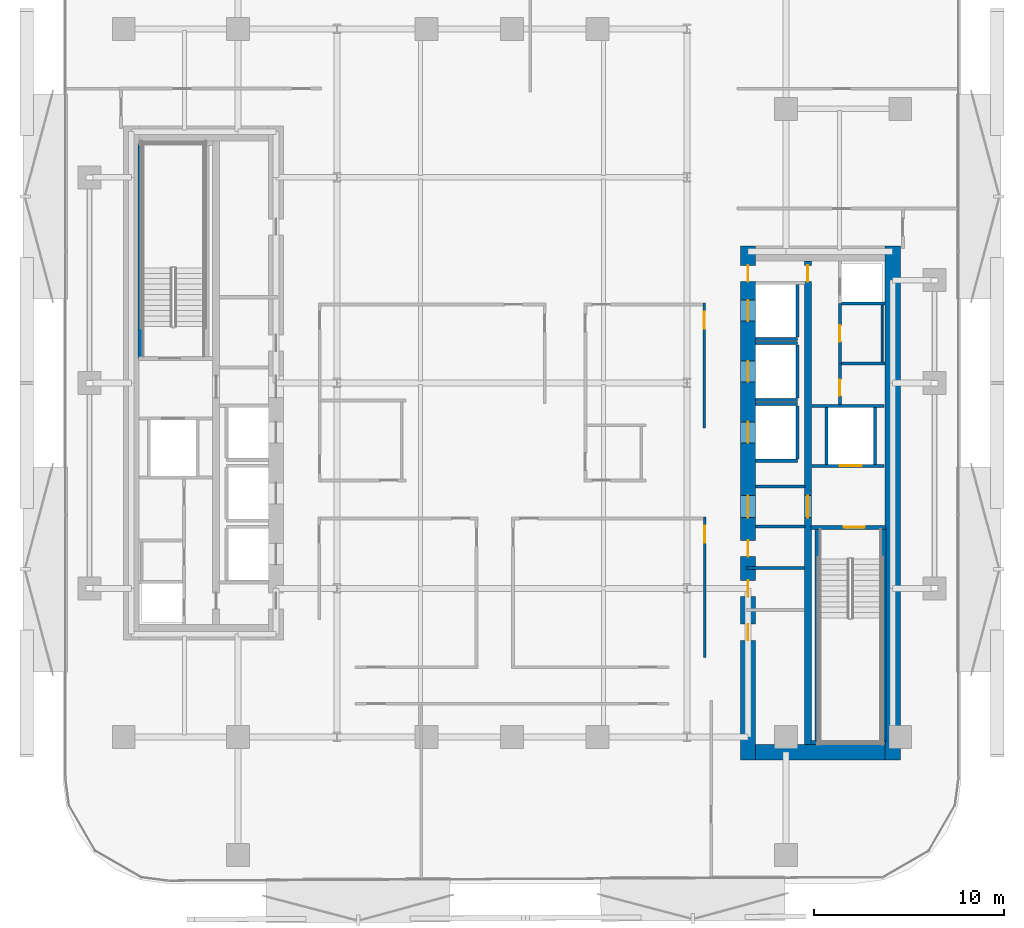
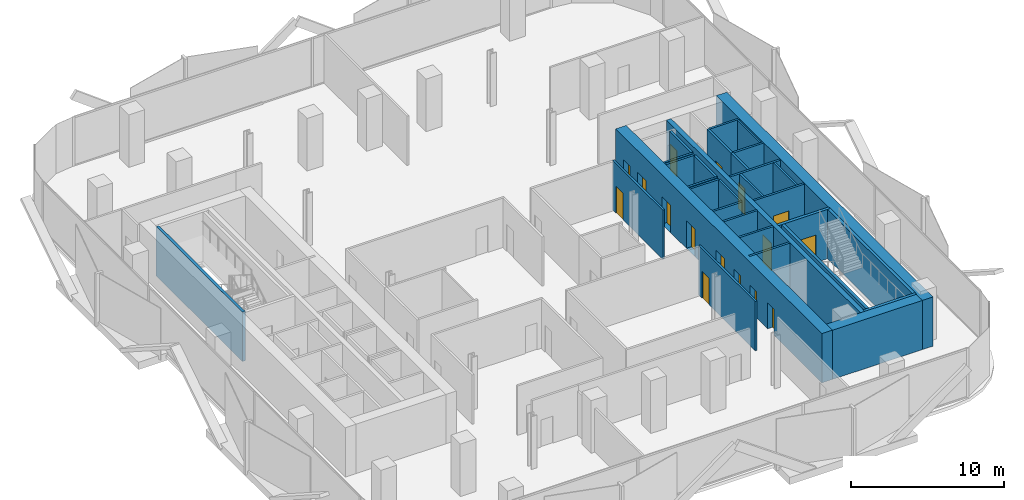
# One storey, part 5 of 15: 31 walls, 16 doors, 16 openings.
"""IFC4 building model written with IfcOpenShell, lengths in metres."""

from ifc_helpers import new_model, si_unit, direction, frame, frame_2d, origin, place, context, subcontext, project, spatial, rectangle, extrude, material, layer, layer_set, type_object, element, fill, save


model = new_model("IFC4")

# Units and contexts
model_context = context("Model", 3, precision=1e-05, world=origin(), true_north=direction((0.0, 1.0)))
body_context = subcontext(model_context, "Body", "Model", "MODEL_VIEW")
ifc_project = project(units=[si_unit("LENGTHUNIT", "METRE"), si_unit("AREAUNIT", "SQUARE_METRE"), si_unit("VOLUMEUNIT", "CUBIC_METRE"), si_unit("PLANEANGLEUNIT", "RADIAN"), si_unit("MASSUNIT", "GRAM", prefix="KILO")], contexts=[model_context])

# Site, building, storey
site_placement = place(None, origin())
site = spatial("IfcSite", under=ifc_project, at=site_placement, CompositionType="ELEMENT")
building_placement = place(site_placement, origin())
building = spatial("IfcBuilding", under=site, at=building_placement, Name="Khairoan Windgate Tower", CompositionType="ELEMENT")
storey_placement = place(building_placement, frame((0.0, 0.0, 114.199951171875)))
storey = spatial("IfcBuildingStorey", under=building, at=storey_placement, Name="L26", CompositionType="ELEMENT", Elevation=114.199951171875)

# Walls
ifc_material_1 = material(Name="Moisture-Resistant Gypsum Partition", Category="gypsum")
ifc_layer_1 = layer(ifc_material_1, 0.10009765625, Name="Moisture-Resistant Gypsum Partition")
ifc_layer_set_1 = layer_set([ifc_layer_1], Name="Moisture-Resistant Gypsum Partition")
wall_type_1 = type_object("IfcWallType", Name="Bathroom Wet-Area Partition Wall", PredefinedType="PARTITIONING", material=ifc_layer_set_1)
wall_1_placement = place(storey_placement, frame((19.449951171875, 4.090087890625, 0.0), z_axis=(0.0, 0.0, 1.0), x_axis=(0.0, -1.0, 0.0)))
element("IfcWall", 1, at=wall_1_placement, inside=storey, type_object=wall_type_1, Name="L26 Wet Room Side Wall 048", PredefinedType="PARTITIONING", context=body_context, shape_type="SweptSolid", body=[
    extrude(rectangle(XDim=2.97998046875, YDim=0.10009765625, at=frame_2d((1.489990234375, 0.0))), origin(), (0.0, 0.0, 1.0), 3.93994140625),
])
ifc_material_2 = material(Name="Concrete C40/50", Category="concrete")
ifc_layer_2 = layer(ifc_material_2, 0.159912109375, Name="Concrete C40/50")
ifc_layer_set_2 = layer_set([ifc_layer_2], Name="Concrete C40/50")
wall_type_2 = type_object("IfcWallType", Name="Core and Hoistway Enclosure Wall", PredefinedType="STANDARD", material=ifc_layer_set_2)
wall_2_placement = place(storey_placement, frame((12.800048828125, 2.31005859375, 0.0), z_axis=(0.0, 0.0, 1.0), x_axis=(1.0, 0.0, 0.0)))
element("IfcWall", 2, at=wall_2_placement, inside=storey, type_object=wall_type_2, Name="L26 Lift PL7 Hoistway Divider S", PredefinedType="STANDARD", context=body_context, shape_type="SweptSolid", body=[
    extrude(rectangle(XDim=2.18994140625, YDim=0.159912109375, at=frame_2d((1.094970703125, 0.0))), origin(), (0.0, 0.0, 1.0), 3.93994140625),
])
wall_3_placement = place(storey_placement, frame((14.989990234375, 2.39990234375, 0.0), z_axis=(0.0, 0.0, 1.0), x_axis=(0.0, 1.0, 0.0)))
element("IfcWall", 3, at=wall_3_placement, inside=storey, type_object=wall_type_2, Name="L26 Lift PL7 Hoistway Back Wall", PredefinedType="STANDARD", context=body_context, shape_type="SweptSolid", body=[
    extrude(rectangle(XDim=2.800048828125, YDim=0.159912109375, at=frame_2d((1.39990234375, 0.0))), origin(), (0.0, 0.0, 1.0), 3.93994140625),
])
for number, where, z_axis, x_axis, name in (
    (4, (12.800048828125, -0.889892578125, 0.0), (0.0, 0.0, 1.0), (1.0, 0.0, 0.0), "L26 Lift PL8 Hoistway Divider S"),
    (5, (12.800048828125, 2.090087890625, 0.0), (0.0, 0.0, 1.0), (1.0, 0.0, 0.0), "L26 Lift PL8 Hoistway Divider N"),
):
    element("IfcWall", number, at=place(storey_placement, frame(where, z_axis=z_axis, x_axis=x_axis)), inside=storey, type_object=wall_type_2, Name=name, PredefinedType="STANDARD", context=body_context, shape_type="SweptSolid", body=[
        extrude(rectangle(XDim=2.18994140625, YDim=0.159912109375, at=frame_2d((1.094970703125, 0.0))), origin(), (0.0, 0.0, 1.0), 3.93994140625),
    ])
wall_4_placement = place(storey_placement, frame((14.989990234375, -0.800048828125, 0.0), z_axis=(0.0, 0.0, 1.0), x_axis=(0.0, 1.0, 0.0)))
element("IfcWall", 6, at=wall_4_placement, inside=storey, type_object=wall_type_2, Name="L26 Lift PL8 Hoistway Back Wall", PredefinedType="STANDARD", context=body_context, shape_type="SweptSolid", body=[
    extrude(rectangle(XDim=2.800048828125, YDim=0.159912109375, at=frame_2d((1.39990234375, 0.0))), origin(), (0.0, 0.0, 1.0), 3.93994140625),
])
for number, where, z_axis, x_axis, name in (
    (7, (12.800048828125, -4.090087890625, 0.0), (0.0, 0.0, 1.0), (1.0, 0.0, 0.0), "L26 Lift PL9 Hoistway Divider S"),
    (8, (12.800048828125, -1.110107421875, 0.0), (0.0, 0.0, 1.0), (1.0, 0.0, 0.0), "L26 Lift PL9 Hoistway Divider N"),
):
    element("IfcWall", number, at=place(storey_placement, frame(where, z_axis=z_axis, x_axis=x_axis)), inside=storey, type_object=wall_type_2, Name=name, PredefinedType="STANDARD", context=body_context, shape_type="SweptSolid", body=[
        extrude(rectangle(XDim=2.18994140625, YDim=0.159912109375, at=frame_2d((1.094970703125, 0.0))), origin(), (0.0, 0.0, 1.0), 3.93994140625),
    ])
wall_5_placement = place(storey_placement, frame((14.989990234375, -4.0, 0.0), z_axis=(0.0, 0.0, 1.0), x_axis=(0.0, 1.0, 0.0)))
element("IfcWall", 9, at=wall_5_placement, inside=storey, type_object=wall_type_2, Name="L26 Lift PL9 Hoistway Back Wall", PredefinedType="STANDARD", context=body_context, shape_type="SweptSolid", body=[
    extrude(rectangle(XDim=2.800048828125, YDim=0.159912109375, at=frame_2d((1.39990234375, 0.0))), origin(), (0.0, 0.0, 1.0), 3.93994140625),
])

# Wall, opening, door
wall_6_placement = place(storey_placement, frame((15.75, -4.360107421875, 0.0), z_axis=(0.0, 0.0, 1.0), x_axis=(1.0, 0.0, 0.0)))
wall_6 = element("IfcWall", 10, at=wall_6_placement, inside=storey, type_object=wall_type_2, Name="L26 Core Shaft Wall SW-FL1-L26", PredefinedType="STANDARD", context=body_context, shape_type="SweptSolid", body=[
    extrude(rectangle(XDim=3.800048828125, YDim=0.159912109375, at=frame_2d((1.89990234375, 0.0))), origin(), (0.0, 0.0, 1.0), 3.93994140625),
])
opening_1_placement = place(wall_6_placement, frame((1.469970703125, 0.0, 0.0)))
opening_1 = element("IfcOpeningElement", 11, at=opening_1_placement, cuts=wall_6, Name="Opening LD-FL", PredefinedType="OPENING", context=body_context, shape_type="SweptSolid", body=[
    extrude(rectangle(XDim=1.14990234375, YDim=2.199951171875, at=frame_2d((0.574951171875, 1.10009765625))), frame((0.0, 0.08984375, 0.0), z_axis=(0.0, -1.0, 0.0), x_axis=(1.0, 0.0, 0.0)), (0.0, 0.0, 1.0), 0.179931640625),
])
ifc_material_3 = material(Name="Steel S355", Category="steel")
door_type_1 = type_object("IfcDoorType", Name="Firefighting Lift Sliding Landing Door LD-FL 1150x2200", OperationType="DOUBLE_DOOR_SLIDING", PredefinedType="DOOR", material=ifc_material_3)
door_1_placement = place(opening_1_placement, origin())
door_1 = element("IfcDoor", 12, at=door_1_placement, inside=storey, type_object=door_type_1, Name="L26 Firefighting Lift FL1 Landing Door", OperationType="DOUBLE_DOOR_SLIDING", OverallHeight=2.199951171875, OverallWidth=1.14990234375, PredefinedType="DOOR", context=body_context, shape_type="SweptSolid", body=[
    extrude(rectangle(XDim=1.14990234375, YDim=2.199951171875, at=frame_2d((0.574951171875, 1.10009765625))), frame((0.0, 0.02490234375, 0.0), z_axis=(0.0, -1.0, 0.0), x_axis=(1.0, 0.0, 0.0)), (0.0, 0.0, 1.0), 0.050048828125),
])
fill(opening_1, door_1)

# Walls
wall_7_placement = place(storey_placement, frame((15.75, -1.219970703125, 0.0), z_axis=(0.0, 0.0, 1.0), x_axis=(1.0, 0.0, 0.0)))
element("IfcWall", 13, at=wall_7_placement, inside=storey, type_object=wall_type_2, Name="L26 Core Shaft Wall SW-FL1T-L26", PredefinedType="STANDARD", context=body_context, shape_type="SweptSolid", body=[
    extrude(rectangle(XDim=3.800048828125, YDim=0.159912109375, at=frame_2d((1.89990234375, 0.0))), origin(), (0.0, 0.0, 1.0), 3.93994140625),
])
for number, where, z_axis, x_axis, name in (
    (14, (16.52001953125, -4.280029296875, 0.0), (0.0, 0.0, 1.0), (0.0, 1.0, 0.0), "L26 Core Shaft Wall SW-FL1W-L26"),
    (15, (19.080078125, -4.280029296875, 0.0), (0.0, 0.0, 1.0), (0.0, 1.0, 0.0), "L26 Core Shaft Wall SW-FL1E-L26"),
):
    element("IfcWall", number, at=place(storey_placement, frame(where, z_axis=z_axis, x_axis=x_axis)), inside=storey, type_object=wall_type_2, Name=name, PredefinedType="STANDARD", context=body_context, shape_type="SweptSolid", body=[
        extrude(rectangle(XDim=2.97998046875, YDim=0.159912109375, at=frame_2d((1.489990234375, 0.0))), origin(), (0.0, 0.0, 1.0), 3.93994140625),
    ])
for number, where, z_axis, x_axis, name in (
    (16, (12.800048828125, -5.449951171875, 0.0), (0.0, 0.0, 1.0), (1.0, 0.0, 0.0), "L26 Core Shaft Wall SW-EV1-L26"),
    (17, (12.800048828125, -7.5400390625, 0.0), (0.0, 0.0, 1.0), (1.0, 0.0, 0.0), "L26 Core Shaft Wall SW-EV2-L26"),
):
    element("IfcWall", number, at=place(storey_placement, frame(where, z_axis=z_axis, x_axis=x_axis)), inside=storey, type_object=wall_type_2, Name=name, PredefinedType="STANDARD", context=body_context, shape_type="SweptSolid", body=[
        extrude(rectangle(XDim=2.599853515625, YDim=0.159912109375, at=frame_2d((1.2998046875, 0.0))), origin(), (0.0, 0.0, 1.0), 3.93994140625),
    ])

# Wall, opening, door
ifc_material_4 = material(Name="Concrete C40/50", Category="concrete")
ifc_layer_3 = layer(ifc_material_4, 0.159912109375, Name="Concrete C40/50")
ifc_layer_set_3 = layer_set([ifc_layer_3], Name="Concrete C40/50")
wall_type_3 = type_object("IfcWallType", Name="Plant and Refuge Compartment Wall", PredefinedType="PARTITIONING", material=ifc_layer_set_3)
wall_8_placement = place(storey_placement, frame((17.22998046875, -1.139892578125, 0.0), z_axis=(0.0, 0.0, 1.0), x_axis=(0.0, 1.0, 0.0)))
wall_8 = element("IfcWall", 18, at=wall_8_placement, inside=storey, type_object=wall_type_3, Name="L26 Interior Partition 008", PredefinedType="PARTITIONING", context=body_context, shape_type="SweptSolid", body=[
    extrude(rectangle(XDim=2.169921875, YDim=0.159912109375, at=frame_2d((1.0849609375, 0.0))), origin(), (0.0, 0.0, 1.0), 3.93994140625),
])
opening_2_placement = place(wall_8_placement, frame((0.4599609375, 0.0, 0.0)))
opening_2 = element("IfcOpeningElement", 19, at=opening_2_placement, cuts=wall_8, Name="Opening FD-SRV", PredefinedType="OPENING", context=body_context, shape_type="SweptSolid", body=[
    extrude(rectangle(XDim=0.85009765625, YDim=2.10009765625, at=frame_2d((0.425048828125, 1.050048828125))), frame((0.0, 0.08984375, 0.0), z_axis=(0.0, -1.0, 0.0), x_axis=(1.0, 0.0, 0.0)), (0.0, 0.0, 1.0), 0.179931640625),
])
ifc_material_5 = material(Name="Steel S355", Category="steel")
door_type_2 = type_object("IfcDoorType", Name="Core Service and Riser Fire Door FD-SRV 850x2100", OperationType="NOTDEFINED", PredefinedType="DOOR", material=ifc_material_5)
door_2_placement = place(opening_2_placement, origin())
door_2 = element("IfcDoor", 20, at=door_2_placement, inside=storey, type_object=door_type_2, Name="L26 L26-18-L26-20 Door", OperationType="SINGLE_SWING_RIGHT", OverallHeight=2.10009765625, OverallWidth=0.85009765625, PredefinedType="DOOR", context=body_context, shape_type="SweptSolid", body=[
    extrude(rectangle(XDim=0.85009765625, YDim=2.10009765625, at=frame_2d((0.425048828125, 1.050048828125))), frame((0.0, 0.02490234375, 0.0), z_axis=(0.0, -1.0, 0.0), x_axis=(1.0, 0.0, 0.0)), (0.0, 0.0, 1.0), 0.050048828125),
])
fill(opening_2, door_2)

wall_9_placement = place(storey_placement, frame((17.22998046875, 1.030029296875, 0.0), z_axis=(0.0, 0.0, 1.0), x_axis=(0.0, 1.0, 0.0)))
wall_9 = element("IfcWall", 21, at=wall_9_placement, inside=storey, type_object=wall_type_3, Name="L26 Interior Partition 009", PredefinedType="PARTITIONING", context=body_context, shape_type="SweptSolid", body=[
    extrude(rectangle(XDim=3.139892578125, YDim=0.159912109375, at=frame_2d((1.56982421875, 0.0))), origin(), (0.0, 0.0, 1.0), 3.93994140625),
])
opening_3_placement = place(wall_9_placement, frame((1.14501953125, 0.0, 0.0)))
opening_3 = element("IfcOpeningElement", 22, at=opening_3_placement, cuts=wall_9, Name="Opening FD-SRV", PredefinedType="OPENING", context=body_context, shape_type="SweptSolid", body=[
    extrude(rectangle(XDim=0.85009765625, YDim=2.10009765625, at=frame_2d((0.425048828125, 1.050048828125))), frame((0.0, 0.08984375, 0.0), z_axis=(0.0, -1.0, 0.0), x_axis=(1.0, 0.0, 0.0)), (0.0, 0.0, 1.0), 0.179931640625),
])
door_3_placement = place(opening_3_placement, origin())
door_3 = element("IfcDoor", 23, at=door_3_placement, inside=storey, type_object=door_type_2, Name="L26 L26-18-L26-21 Door", OperationType="SINGLE_SWING_LEFT", OverallHeight=2.10009765625, OverallWidth=0.85009765625, PredefinedType="DOOR", context=body_context, shape_type="SweptSolid", body=[
    extrude(rectangle(XDim=0.85009765625, YDim=2.10009765625, at=frame_2d((0.425048828125, 1.050048828125))), frame((0.0, 0.02490234375, 0.0), z_axis=(0.0, -1.0, 0.0), x_axis=(1.0, 0.0, 0.0)), (0.0, 0.0, 1.0), 0.050048828125),
])
fill(opening_3, door_3)

# Walls
for number, where, z_axis, x_axis, name in (
    (24, (17.31005859375, 4.169921875, 0.0), (0.0, 0.0, 1.0), (1.0, 0.0, 0.0), "L26 Interior Partition 010"),
    (25, (17.31005859375, 1.030029296875, 0.0), (0.0, 0.0, 1.0), (1.0, 0.0, 0.0), "L26 Interior Partition 011"),
):
    element("IfcWall", number, at=place(storey_placement, frame(where, z_axis=z_axis, x_axis=x_axis)), inside=storey, type_object=wall_type_3, Name=name, PredefinedType="PARTITIONING", context=body_context, shape_type="SweptSolid", body=[
        extrude(rectangle(XDim=2.2900390625, YDim=0.159912109375, at=frame_2d((1.14501953125, 0.0))), origin(), (0.0, 0.0, 1.0), 3.93994140625),
    ])
wall_10_placement = place(storey_placement, frame((12.31005859375, -9.719970703125, 0.0), z_axis=(0.0, 0.0, 1.0), x_axis=(1.0, 0.0, 0.0)))
element("IfcWall", 26, at=wall_10_placement, inside=storey, type_object=wall_type_3, Name="L26 Interior Partition 013", PredefinedType="PARTITIONING", context=body_context, shape_type="SweptSolid", body=[
    extrude(rectangle(XDim=3.06494140625, YDim=0.159912109375, at=frame_2d((1.532470703125, 0.0))), origin(), (0.0, 0.0, 1.0), 3.93994140625),
])

# Wall, opening, door
ifc_material_6 = material(Name="Acoustic Fire-Rated Gypsum Partition", Category="gypsum")
ifc_layer_4 = layer(ifc_material_6, 0.14990234375, Name="Acoustic Fire-Rated Gypsum Partition")
ifc_layer_set_4 = layer_set([ifc_layer_4], Name="Acoustic Fire-Rated Gypsum Partition")
wall_type_4 = type_object("IfcWallType", Name="Rated Corridor Partition Wall", PredefinedType="PARTITIONING", material=ifc_layer_set_4)
wall_11_placement = place(storey_placement, frame((10.10009765625, -2.3798828125, 0.0), z_axis=(0.0, 0.0, 1.0), x_axis=(0.0, 1.0, 0.0)))
wall_11 = element("IfcWall", 27, at=wall_11_placement, inside=storey, type_object=wall_type_4, Name="L26 Interior Partition 018", PredefinedType="PARTITIONING", context=body_context, shape_type="SweptSolid", body=[
    extrude(rectangle(XDim=6.574951171875, YDim=0.14990234375, at=frame_2d((3.28759765625, 0.0))), origin(), (0.0, 0.0, 1.0), 3.93994140625),
])
opening_4_placement = place(wall_11_placement, frame((5.215087890625, 0.0, 0.0)))
opening_4 = element("IfcOpeningElement", 28, at=opening_4_placement, cuts=wall_11, Name="Opening FD-ENT", PredefinedType="OPENING", context=body_context, shape_type="SweptSolid", body=[
    extrude(rectangle(XDim=0.89990234375, YDim=2.14990234375, at=frame_2d((0.449951171875, 1.074951171875))), frame((0.0, 0.0849609375, 0.0), z_axis=(0.0, -1.0, 0.0), x_axis=(1.0, 0.0, 0.0)), (0.0, 0.0, 1.0), 0.169921875),
])
ifc_material_7 = material(Name="Timber Fire-Rated Core", Category="wood")
door_type_3 = type_object("IfcDoorType", Name="Unit and Office Fire Entrance Door FD-ENT 900x2150", OperationType="NOTDEFINED", PredefinedType="DOOR", material=ifc_material_7)
door_4_placement = place(opening_4_placement, origin())
door_4 = element("IfcDoor", 29, at=door_4_placement, inside=storey, type_object=door_type_3, Name="L26 L26-31-L26-48 Door", OperationType="SINGLE_SWING_RIGHT", OverallHeight=2.14990234375, OverallWidth=0.89990234375, PredefinedType="DOOR", context=body_context, shape_type="SweptSolid", body=[
    extrude(rectangle(XDim=0.89990234375, YDim=2.14990234375, at=frame_2d((0.449951171875, 1.074951171875))), frame((0.0, 0.02490234375, 0.0), z_axis=(0.0, -1.0, 0.0), x_axis=(1.0, 0.0, 0.0)), (0.0, 0.0, 1.0), 0.050048828125),
])
fill(opening_4, door_4)

wall_12_placement = place(storey_placement, frame((10.125, -14.43994140625, 0.0), z_axis=(0.0, 0.0, 1.0), x_axis=(0.0, 1.0, 0.0)))
wall_12 = element("IfcWall", 30, at=wall_12_placement, inside=storey, type_object=wall_type_4, Name="L26 Interior Partition 019", PredefinedType="PARTITIONING", context=body_context, shape_type="SweptSolid", body=[
    extrude(rectangle(XDim=7.39990234375, YDim=0.14990234375, at=frame_2d((3.699951171875, 0.0))), origin(), (0.0, 0.0, 1.0), 3.93994140625),
])
opening_5_placement = place(wall_12_placement, frame((6.0400390625, 0.0, 0.0)))
opening_5 = element("IfcOpeningElement", 31, at=opening_5_placement, cuts=wall_12, Name="Opening FD-ENT", PredefinedType="OPENING", context=body_context, shape_type="SweptSolid", body=[
    extrude(rectangle(XDim=0.89990234375, YDim=2.14990234375, at=frame_2d((0.449951171875, 1.074951171875))), frame((0.0, 0.0849609375, 0.0), z_axis=(0.0, -1.0, 0.0), x_axis=(1.0, 0.0, 0.0)), (0.0, 0.0, 1.0), 0.169921875),
])
door_5_placement = place(opening_5_placement, origin())
door_5 = element("IfcDoor", 32, at=door_5_placement, inside=storey, type_object=door_type_3, Name="L26 L26-31-L26-52 Door", OperationType="SINGLE_SWING_LEFT", OverallHeight=2.14990234375, OverallWidth=0.89990234375, PredefinedType="DOOR", context=body_context, shape_type="SweptSolid", body=[
    extrude(rectangle(XDim=0.89990234375, YDim=2.14990234375, at=frame_2d((0.449951171875, 1.074951171875))), frame((0.0, 0.02490234375, 0.0), z_axis=(0.0, -1.0, 0.0), x_axis=(1.0, 0.0, 0.0)), (0.0, 0.0, 1.0), 0.050048828125),
])
fill(opening_5, door_5)

# Wall, openings, doors
ifc_material_8 = material(Name="Concrete C70/85", Category="concrete")
ifc_layer_5 = layer(ifc_material_8, 0.800048828125, Name="Concrete C70/85")
ifc_layer_set_5 = layer_set([ifc_layer_5], Name="Concrete C70/85")
wall_type_5 = type_object("IfcWallType", Name="Shear Wall CW-E1 800mm", PredefinedType="SHEAR", material=ifc_layer_set_5)
wall_13_placement = place(storey_placement, frame((12.39990234375, -19.800048828125, 0.0), z_axis=(0.0, 0.0, 1.0), x_axis=(0.0, 1.0, 0.0)))
wall_13 = element("IfcWall", 33, at=wall_13_placement, inside=storey, type_object=wall_type_5, Name="E Core West Shear Wall L26", PredefinedType="SHEAR", context=body_context, shape_type="SweptSolid", body=[
    extrude(rectangle(XDim=27.0, YDim=0.800048828125, at=frame_2d((13.5, 0.0))), origin(), (0.0, 0.0, 1.0), 3.93994140625),
])
opening_6_placement = place(wall_13_placement, frame((23.050048828125, 0.0, 0.0)))
opening_6 = element("IfcOpeningElement", 34, at=opening_6_placement, cuts=wall_13, Name="Opening LD-PL", PredefinedType="OPENING", context=body_context, shape_type="SweptSolid", body=[
    extrude(rectangle(XDim=1.10009765625, YDim=2.199951171875, at=frame_2d((0.550048828125, 1.10009765625))), frame((0.0, 0.409912109375, 0.0), z_axis=(0.0, -1.0, 0.0), x_axis=(1.0, 0.0, 0.0)), (0.0, 0.0, 1.0), 0.820068359375),
])
opening_7_placement = place(wall_13_placement, frame((19.85009765625, 0.0, 0.0)))
opening_7 = element("IfcOpeningElement", 35, at=opening_7_placement, cuts=wall_13, Name="Opening LD-PL", PredefinedType="OPENING", context=body_context, shape_type="SweptSolid", body=[
    extrude(rectangle(XDim=1.10009765625, YDim=2.199951171875, at=frame_2d((0.550048828125, 1.10009765625))), frame((0.0, 0.409912109375, 0.0), z_axis=(0.0, -1.0, 0.0), x_axis=(1.0, 0.0, 0.0)), (0.0, 0.0, 1.0), 0.820068359375),
])
opening_8_placement = place(wall_13_placement, frame((16.64990234375, 0.0, 0.0)))
opening_8 = element("IfcOpeningElement", 36, at=opening_8_placement, cuts=wall_13, Name="Opening LD-PL", PredefinedType="OPENING", context=body_context, shape_type="SweptSolid", body=[
    extrude(rectangle(XDim=1.10009765625, YDim=2.199951171875, at=frame_2d((0.550048828125, 1.10009765625))), frame((0.0, 0.409912109375, 0.0), z_axis=(0.0, -1.0, 0.0), x_axis=(1.0, 0.0, 0.0)), (0.0, 0.0, 1.0), 0.820068359375),
])
opening_9_placement = place(wall_13_placement, frame((6.27490234375, 0.0, 0.0)))
opening_9 = element("IfcOpeningElement", 37, at=opening_9_placement, cuts=wall_13, Name="Opening FD-SRV", PredefinedType="OPENING", context=body_context, shape_type="SweptSolid", body=[
    extrude(rectangle(XDim=0.85009765625, YDim=2.10009765625, at=frame_2d((0.425048828125, 1.050048828125))), frame((0.0, 0.409912109375, 0.0), z_axis=(0.0, -1.0, 0.0), x_axis=(1.0, 0.0, 0.0)), (0.0, 0.0, 1.0), 0.820068359375),
])
opening_10_placement = place(wall_13_placement, frame((8.574951171875, 0.0, 0.0)))
opening_10 = element("IfcOpeningElement", 38, at=opening_10_placement, cuts=wall_13, Name="Opening FD-SRV", PredefinedType="OPENING", context=body_context, shape_type="SweptSolid", body=[
    extrude(rectangle(XDim=0.85009765625, YDim=2.10009765625, at=frame_2d((0.425048828125, 1.050048828125))), frame((0.0, 0.409912109375, 0.0), z_axis=(0.0, -1.0, 0.0), x_axis=(1.0, 0.0, 0.0)), (0.0, 0.0, 1.0), 0.820068359375),
])
opening_11_placement = place(wall_13_placement, frame((10.675048828125, 0.0, 0.0)))
opening_11 = element("IfcOpeningElement", 39, at=opening_11_placement, cuts=wall_13, Name="Opening FD-SRV", PredefinedType="OPENING", context=body_context, shape_type="SweptSolid", body=[
    extrude(rectangle(XDim=0.85009765625, YDim=2.10009765625, at=frame_2d((0.425048828125, 1.050048828125))), frame((0.0, 0.409912109375, 0.0), z_axis=(0.0, -1.0, 0.0), x_axis=(1.0, 0.0, 0.0)), (0.0, 0.0, 1.0), 0.820068359375),
])
opening_12_placement = place(wall_13_placement, frame((12.72509765625, 0.0, 0.0)))
opening_12 = element("IfcOpeningElement", 40, at=opening_12_placement, cuts=wall_13, Name="Opening FD-FFL", PredefinedType="OPENING", context=body_context, shape_type="SweptSolid", body=[
    extrude(rectangle(XDim=1.14990234375, YDim=2.199951171875, at=frame_2d((0.574951171875, 1.10009765625))), frame((0.0, 0.409912109375, 0.0), z_axis=(0.0, -1.0, 0.0), x_axis=(1.0, 0.0, 0.0)), (0.0, 0.0, 1.0), 0.820068359375),
])
opening_13_placement = place(wall_13_placement, frame((25.125, 0.0, 0.0)))
opening_13 = element("IfcOpeningElement", 41, at=opening_13_placement, cuts=wall_13, Name="Opening FD-SRV", PredefinedType="OPENING", context=body_context, shape_type="SweptSolid", body=[
    extrude(rectangle(XDim=0.85009765625, YDim=2.10009765625, at=frame_2d((0.425048828125, 1.050048828125))), frame((0.0, 0.409912109375, 0.0), z_axis=(0.0, -1.0, 0.0), x_axis=(1.0, 0.0, 0.0)), (0.0, 0.0, 1.0), 0.820068359375),
])
door_6_placement = place(opening_9_placement, origin())
door_6 = element("IfcDoor", 42, at=door_6_placement, inside=storey, type_object=door_type_2, Name="L26 East Core Service Room Door 1", OperationType="SINGLE_SWING_LEFT", OverallHeight=2.10009765625, OverallWidth=0.85009765625, PredefinedType="DOOR", context=body_context, shape_type="SweptSolid", body=[
    extrude(rectangle(XDim=0.85009765625, YDim=2.10009765625, at=frame_2d((0.425048828125, 1.050048828125))), frame((0.0, 0.02490234375, 0.0), z_axis=(0.0, -1.0, 0.0), x_axis=(1.0, 0.0, 0.0)), (0.0, 0.0, 1.0), 0.050048828125),
])
fill(opening_9, door_6)
door_7_placement = place(opening_10_placement, origin())
door_7 = element("IfcDoor", 43, at=door_7_placement, inside=storey, type_object=door_type_2, Name="L26 East Core Service Room Door 2", OperationType="SINGLE_SWING_RIGHT", OverallHeight=2.10009765625, OverallWidth=0.85009765625, PredefinedType="DOOR", context=body_context, shape_type="SweptSolid", body=[
    extrude(rectangle(XDim=0.85009765625, YDim=2.10009765625, at=frame_2d((0.425048828125, 1.050048828125))), frame((0.0, 0.02490234375, 0.0), z_axis=(0.0, -1.0, 0.0), x_axis=(1.0, 0.0, 0.0)), (0.0, 0.0, 1.0), 0.050048828125),
])
fill(opening_10, door_7)
door_8_placement = place(opening_11_placement, origin())
door_8 = element("IfcDoor", 44, at=door_8_placement, inside=storey, type_object=door_type_2, Name="L26 East Core Service Room Door 3", OperationType="SINGLE_SWING_LEFT", OverallHeight=2.10009765625, OverallWidth=0.85009765625, PredefinedType="DOOR", context=body_context, shape_type="SweptSolid", body=[
    extrude(rectangle(XDim=0.85009765625, YDim=2.10009765625, at=frame_2d((0.425048828125, 1.050048828125))), frame((0.0, 0.02490234375, 0.0), z_axis=(0.0, -1.0, 0.0), x_axis=(1.0, 0.0, 0.0)), (0.0, 0.0, 1.0), 0.050048828125),
])
fill(opening_11, door_8)
door_9_placement = place(opening_13_placement, origin())
door_9 = element("IfcDoor", 45, at=door_9_placement, inside=storey, type_object=door_type_2, Name="L26 East Core Service Vestibule Outer Door", OperationType="SINGLE_SWING_RIGHT", OverallHeight=2.10009765625, OverallWidth=0.85009765625, PredefinedType="DOOR", context=body_context, shape_type="SweptSolid", body=[
    extrude(rectangle(XDim=0.85009765625, YDim=2.10009765625, at=frame_2d((0.425048828125, 1.050048828125))), frame((0.0, 0.02490234375, 0.0), z_axis=(0.0, -1.0, 0.0), x_axis=(1.0, 0.0, 0.0)), (0.0, 0.0, 1.0), 0.050048828125),
])
fill(opening_13, door_9)
ifc_material_9 = material(Name="Steel S355", Category="steel")
door_type_4 = type_object("IfcDoorType", Name="Firefighting Lobby Fire Door FD-FFL 1150x2200", OperationType="NOTDEFINED", PredefinedType="DOOR", material=ifc_material_9)
door_10_placement = place(opening_12_placement, origin())
door_10 = element("IfcDoor", 46, at=door_10_placement, inside=storey, type_object=door_type_4, Name="L26 East Core Vestibule Entry Door", OperationType="SINGLE_SWING_RIGHT", OverallHeight=2.199951171875, OverallWidth=1.14990234375, PredefinedType="DOOR", context=body_context, shape_type="SweptSolid", body=[
    extrude(rectangle(XDim=1.14990234375, YDim=2.199951171875, at=frame_2d((0.574951171875, 1.10009765625))), frame((0.0, 0.02490234375, 0.0), z_axis=(0.0, -1.0, 0.0), x_axis=(1.0, 0.0, 0.0)), (0.0, 0.0, 1.0), 0.050048828125),
])
fill(opening_12, door_10)
ifc_material_10 = material(Name="Anodised Bronze Aluminium 6063-T6", Category="aluminium")
door_type_5 = type_object("IfcDoorType", Name="Passenger Lift Sliding Landing Door LD-PL 1100x2200", OperationType="DOUBLE_DOOR_SLIDING", PredefinedType="DOOR", material=ifc_material_10)
door_11_placement = place(opening_6_placement, origin())
door_11 = element("IfcDoor", 47, at=door_11_placement, inside=storey, type_object=door_type_5, Name="L26 Lift PL7 Sliding Landing Door", OperationType="DOUBLE_DOOR_SLIDING", OverallHeight=2.199951171875, OverallWidth=1.10009765625, PredefinedType="DOOR", context=body_context, shape_type="SweptSolid", body=[
    extrude(rectangle(XDim=1.10009765625, YDim=2.199951171875, at=frame_2d((0.550048828125, 1.10009765625))), frame((0.0, 0.02490234375, 0.0), z_axis=(0.0, -1.0, 0.0), x_axis=(1.0, 0.0, 0.0)), (0.0, 0.0, 1.0), 0.050048828125),
])
fill(opening_6, door_11)
door_12_placement = place(opening_7_placement, origin())
door_12 = element("IfcDoor", 48, at=door_12_placement, inside=storey, type_object=door_type_5, Name="L26 Lift PL8 Sliding Landing Door", OperationType="DOUBLE_DOOR_SLIDING", OverallHeight=2.199951171875, OverallWidth=1.10009765625, PredefinedType="DOOR", context=body_context, shape_type="SweptSolid", body=[
    extrude(rectangle(XDim=1.10009765625, YDim=2.199951171875, at=frame_2d((0.550048828125, 1.10009765625))), frame((0.0, 0.02490234375, 0.0), z_axis=(0.0, -1.0, 0.0), x_axis=(1.0, 0.0, 0.0)), (0.0, 0.0, 1.0), 0.050048828125),
])
fill(opening_7, door_12)
door_13_placement = place(opening_8_placement, origin())
door_13 = element("IfcDoor", 49, at=door_13_placement, inside=storey, type_object=door_type_5, Name="L26 Lift PL9 Sliding Landing Door", OperationType="DOUBLE_DOOR_SLIDING", OverallHeight=2.199951171875, OverallWidth=1.10009765625, PredefinedType="DOOR", context=body_context, shape_type="SweptSolid", body=[
    extrude(rectangle(XDim=1.10009765625, YDim=2.199951171875, at=frame_2d((0.550048828125, 1.10009765625))), frame((0.0, 0.02490234375, 0.0), z_axis=(0.0, -1.0, 0.0), x_axis=(1.0, 0.0, 0.0)), (0.0, 0.0, 1.0), 0.050048828125),
])
fill(opening_8, door_13)

# Walls
wall_14_placement = place(storey_placement, frame((20.0, -19.800048828125, 0.0), z_axis=(0.0, 0.0, 1.0), x_axis=(0.0, 1.0, 0.0)))
element("IfcWall", 50, at=wall_14_placement, inside=storey, type_object=wall_type_5, Name="E Core East Shear Wall L26", PredefinedType="SHEAR", context=body_context, shape_type="SweptSolid", body=[
    extrude(rectangle(XDim=27.0, YDim=0.800048828125, at=frame_2d((13.5, 0.0))), origin(), (0.0, 0.0, 1.0), 3.93994140625),
])
wall_15_placement = place(storey_placement, frame((12.800048828125, -19.39990234375, 0.0), z_axis=(0.0, 0.0, 1.0), x_axis=(1.0, 0.0, 0.0)))
element("IfcWall", 51, at=wall_15_placement, inside=storey, type_object=wall_type_5, Name="E Core South Shear Wall L26", PredefinedType="SHEAR", context=body_context, shape_type="SweptSolid", body=[
    extrude(rectangle(XDim=6.800048828125, YDim=0.800048828125, at=frame_2d((3.39990234375, 0.0))), origin(), (0.0, 0.0, 1.0), 3.93994140625),
])

# Wall, openings, doors
ifc_material_11 = material(Name="Concrete C60/75", Category="concrete")
ifc_layer_6 = layer(ifc_material_11, 0.35009765625, Name="Concrete C60/75")
ifc_layer_set_6 = layer_set([ifc_layer_6], Name="Concrete C60/75")
wall_type_6 = type_object("IfcWallType", Name="Shear Wall SW-1 350mm", PredefinedType="SHEAR", material=ifc_layer_set_6)
wall_16_placement = place(storey_placement, frame((15.550048828125, -19.0, 0.0), z_axis=(0.0, 0.0, 1.0), x_axis=(0.0, 1.0, 0.0)))
wall_16 = element("IfcWall", 52, at=wall_16_placement, inside=storey, type_object=wall_type_6, Name="E Core Spine Shear Wall L26", PredefinedType="SHEAR", context=body_context, shape_type="SweptSolid", body=[
    extrude(rectangle(XDim=25.39990234375, YDim=0.35009765625, at=frame_2d((12.699951171875, 0.0))), origin(), (0.0, 0.0, 1.0), 3.93994140625),
])
opening_14_placement = place(wall_16_placement, frame((11.925048828125, 0.0, 0.0)))
opening_14 = element("IfcOpeningElement", 53, at=opening_14_placement, cuts=wall_16, Name="Opening FD-FFL", PredefinedType="OPENING", context=body_context, shape_type="SweptSolid", body=[
    extrude(rectangle(XDim=1.14990234375, YDim=2.199951171875, at=frame_2d((0.574951171875, 1.10009765625))), frame((0.0, 0.18505859375, 0.0), z_axis=(0.0, -1.0, 0.0), x_axis=(1.0, 0.0, 0.0)), (0.0, 0.0, 1.0), 0.3701171875),
])
opening_15_placement = place(wall_16_placement, frame((24.324951171875, 0.0, 0.0)))
opening_15 = element("IfcOpeningElement", 54, at=opening_15_placement, cuts=wall_16, Name="Opening FD-SRV", PredefinedType="OPENING", context=body_context, shape_type="SweptSolid", body=[
    extrude(rectangle(XDim=0.85009765625, YDim=2.10009765625, at=frame_2d((0.425048828125, 1.050048828125))), frame((0.0, 0.18505859375, 0.0), z_axis=(0.0, -1.0, 0.0), x_axis=(1.0, 0.0, 0.0)), (0.0, 0.0, 1.0), 0.3701171875),
])
door_14_placement = place(opening_15_placement, origin())
door_14 = element("IfcDoor", 55, at=door_14_placement, inside=storey, type_object=door_type_2, Name="L26 East Core Service Passage Inner Door", OperationType="SINGLE_SWING_LEFT", OverallHeight=2.10009765625, OverallWidth=0.85009765625, PredefinedType="DOOR", context=body_context, shape_type="SweptSolid", body=[
    extrude(rectangle(XDim=0.85009765625, YDim=2.10009765625, at=frame_2d((0.425048828125, 1.050048828125))), frame((0.0, 0.02490234375, 0.0), z_axis=(0.0, -1.0, 0.0), x_axis=(1.0, 0.0, 0.0)), (0.0, 0.0, 1.0), 0.050048828125),
])
fill(opening_15, door_14)
door_15_placement = place(opening_14_placement, origin())
door_15 = element("IfcDoor", 56, at=door_15_placement, inside=storey, type_object=door_type_4, Name="L26 East Firefighting Lobby Fire Door", OperationType="SINGLE_SWING_LEFT", OverallHeight=2.199951171875, OverallWidth=1.14990234375, PredefinedType="DOOR", context=body_context, shape_type="SweptSolid", body=[
    extrude(rectangle(XDim=1.14990234375, YDim=2.199951171875, at=frame_2d((0.574951171875, 1.10009765625))), frame((0.0, 0.02490234375, 0.0), z_axis=(0.0, -1.0, 0.0), x_axis=(1.0, 0.0, 0.0)), (0.0, 0.0, 1.0), 0.050048828125),
])
fill(opening_14, door_15)

# Walls
ifc_material_12 = material(Name="Concrete C50/60", Category="concrete")
ifc_layer_7 = layer(ifc_material_12, 0.219970703125, Name="Concrete C50/60")
ifc_layer_set_7 = layer_set([ifc_layer_7], Name="Concrete C50/60")
wall_type_7 = type_object("IfcWallType", Name="Shear Wall SW-ST 220mm", PredefinedType="SHEAR", material=ifc_layer_set_7)
for number, where, z_axis, x_axis, name in (
    (57, (16.0400390625, -18.889892578125, 0.0), (0.0, 0.0, 1.0), (0.0, 1.0, 0.0), "L26 Stair ST1 West Bearing Wall"),
    (58, (19.530029296875, -18.889892578125, 0.0), (0.0, 0.0, 1.0), (0.0, 1.0, 0.0), "L26 Stair ST1 East Bearing Wall"),
):
    element("IfcWall", number, at=place(storey_placement, frame(where, z_axis=z_axis, x_axis=x_axis)), inside=storey, type_object=wall_type_7, Name=name, PredefinedType="SHEAR", context=body_context, shape_type="SweptSolid", body=[
        extrude(rectangle(XDim=11.2998046875, YDim=0.219970703125, at=frame_2d((5.64990234375, 0.0))), origin(), (0.0, 0.0, 1.0), 3.93994140625),
    ])
wall_17_placement = place(storey_placement, frame((15.705078125, -18.889892578125, 0.0), z_axis=(0.0, 0.0, 1.0), x_axis=(1.0, 0.0, 0.0)))
element("IfcWall", 59, at=wall_17_placement, inside=storey, type_object=wall_type_7, Name="L26 Stair ST1 South Bearing Wall", PredefinedType="SHEAR", context=body_context, shape_type="SweptSolid", body=[
    extrude(rectangle(XDim=3.9150390625, YDim=0.219970703125, at=frame_2d((1.95751953125, 0.0))), origin(), (0.0, 0.0, 1.0), 3.93994140625),
])

# Wall, opening, door
wall_18_placement = place(storey_placement, frame((19.6201171875, -7.590087890625, 0.0), z_axis=(0.0, 0.0, 1.0), x_axis=(-1.0, 0.0, 0.0)))
wall_18 = element("IfcWall", 60, at=wall_18_placement, inside=storey, type_object=wall_type_7, Name="L26 Stair ST1 North Bearing Wall", PredefinedType="SHEAR", context=body_context, shape_type="SweptSolid", body=[
    extrude(rectangle(XDim=3.9150390625, YDim=0.219970703125, at=frame_2d((1.95751953125, 0.0))), origin(), (0.0, 0.0, 1.0), 3.93994140625),
])
opening_16_placement = place(wall_18_placement, frame((1.080078125, 0.0, 0.0)))
opening_16 = element("IfcOpeningElement", 61, at=opening_16_placement, cuts=wall_18, Name="Opening FD-ST", PredefinedType="OPENING", context=body_context, shape_type="SweptSolid", body=[
    extrude(rectangle(XDim=1.10009765625, YDim=2.199951171875, at=frame_2d((0.550048828125, 1.10009765625))), frame((0.0, 0.119873046875, 0.0), z_axis=(0.0, -1.0, 0.0), x_axis=(1.0, 0.0, 0.0)), (0.0, 0.0, 1.0), 0.239990234375),
])
ifc_material_13 = material(Name="Steel S355", Category="steel")
door_type_6 = type_object("IfcDoorType", Name="Smokeproof Stair Fire Door FD-ST 1100x2200", OperationType="NOTDEFINED", PredefinedType="DOOR", material=ifc_material_13)
door_16_placement = place(opening_16_placement, origin())
door_16 = element("IfcDoor", 62, at=door_16_placement, inside=storey, type_object=door_type_6, Name="L26 Stair ST1 Fire Door", OperationType="SINGLE_SWING_LEFT", OverallHeight=2.199951171875, OverallWidth=1.10009765625, PredefinedType="DOOR", context=body_context, shape_type="SweptSolid", body=[
    extrude(rectangle(XDim=1.10009765625, YDim=2.199951171875, at=frame_2d((0.550048828125, 1.10009765625))), frame((0.0, 0.02490234375, 0.0), z_axis=(0.0, -1.0, 0.0), x_axis=(1.0, 0.0, 0.0)), (0.0, 0.0, 1.0), 0.050048828125),
])
fill(opening_16, door_16)

# Wall
wall_19_placement = place(storey_placement, frame((-19.530029296875, 1.2900390625, 0.0), z_axis=(0.0, 0.0, 1.0), x_axis=(0.0, 1.0, 0.0)))
element("IfcWall", 63, at=wall_19_placement, inside=storey, type_object=wall_type_7, Name="L26 Stair ST2 West Bearing Wall", PredefinedType="SHEAR", context=body_context, shape_type="SweptSolid", body=[
    extrude(rectangle(XDim=11.300048828125, YDim=0.219970703125, at=frame_2d((5.64990234375, 0.0))), origin(), (0.0, 0.0, 1.0), 3.93994140625),
])

save(model, "model.ifc")
